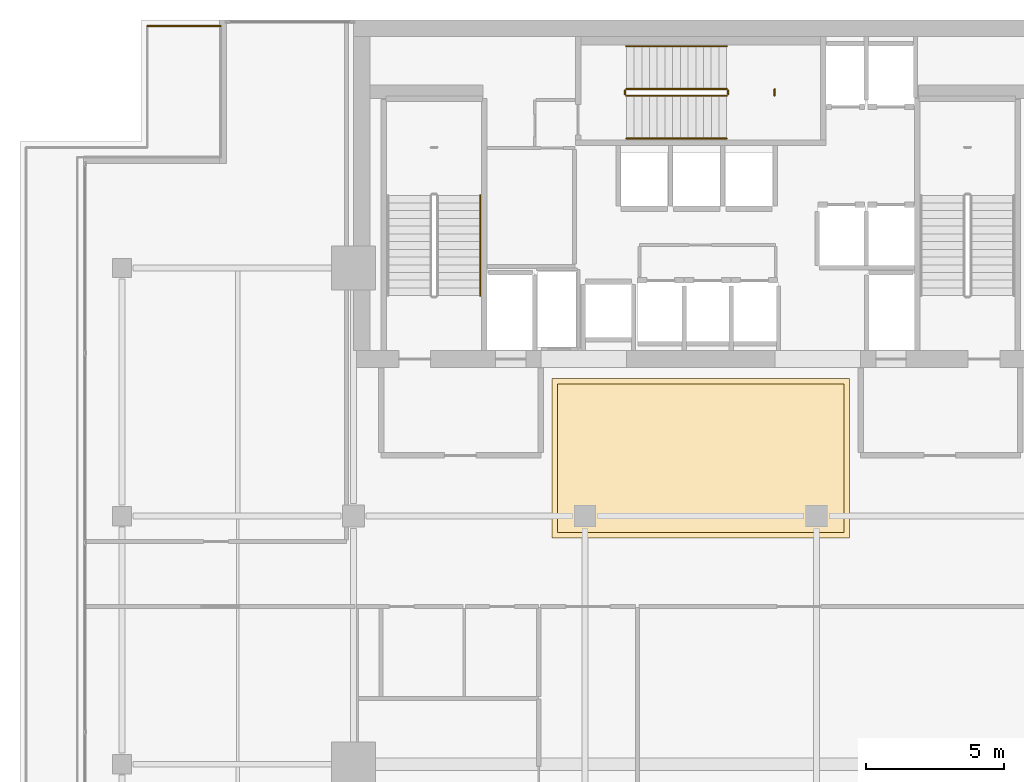
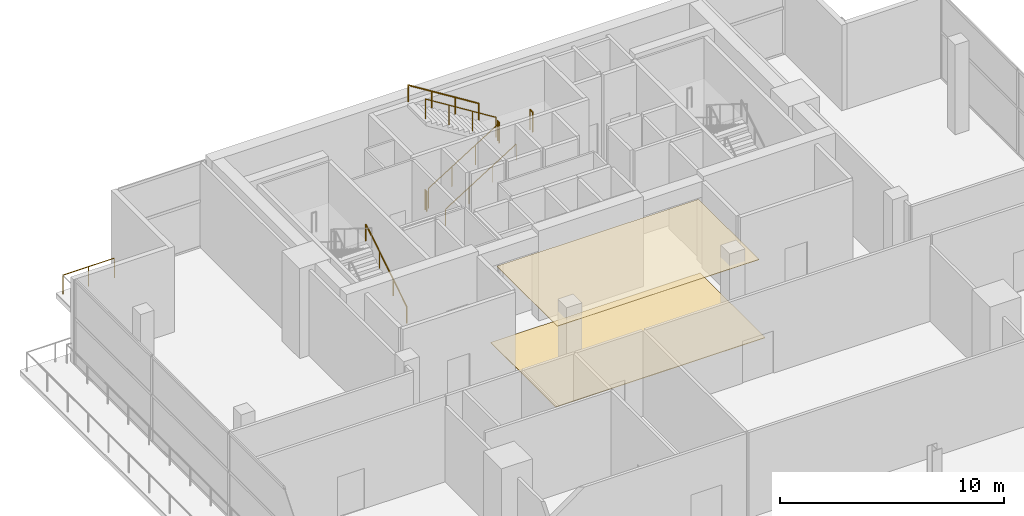
# One storey, part 27 of 28: 9 railings, 2 coverings.
"""IFC4 building model written with IfcOpenShell, lengths in metres."""

from ifc_helpers import new_model, si_unit, direction, frame, origin, origin_2d, place, context, subcontext, project, spatial, polyline, circle, outline, extrude, material, layer, layer_set, type_object, element, save


model = new_model("IFC4")

# Units and contexts
model_context = context("Model", 3, precision=1e-05, world=origin(), true_north=direction((0.0, 1.0)))
body_context = subcontext(model_context, "Body", "Model", "MODEL_VIEW")
ifc_project = project(units=[si_unit("LENGTHUNIT", "METRE"), si_unit("AREAUNIT", "SQUARE_METRE"), si_unit("VOLUMEUNIT", "CUBIC_METRE"), si_unit("PLANEANGLEUNIT", "RADIAN"), si_unit("MASSUNIT", "GRAM", prefix="KILO")], contexts=[model_context])

# Site, building, storey
site_placement = place(None, origin())
site = spatial("IfcSite", under=ifc_project, at=site_placement, CompositionType="ELEMENT")
building_placement = place(site_placement, origin())
building = spatial("IfcBuilding", under=site, at=building_placement, Name="Maruvema Waterfront Hotel and Observation Tower", CompositionType="ELEMENT")
storey_placement = place(building_placement, frame((0.0, 0.0, 234.5)))
storey = spatial("IfcBuildingStorey", under=building, at=storey_placement, Name="L57", CompositionType="ELEMENT", Elevation=234.5)

# Coverings
ifc_material_1 = material(Name="Honed Pernambuco warm granite", Category="masonry")
ifc_layer_1 = layer(ifc_material_1, 0.030029296875, Name="Honed Pernambuco Granite Lobby Flooring 30 mm")
ifc_layer_set_1 = layer_set([ifc_layer_1], Name="Honed Pernambuco warm granite")
covering_type_1 = type_object("IfcCoveringType", Name="Honed Pernambuco Granite Lobby Flooring 30 mm", PredefinedType="FLOORING", material=ifc_layer_set_1)
covering_1_placement = place(storey_placement, origin())
element("IfcCovering", 1, at=covering_1_placement, inside=storey, type_object=covering_type_1, Name="L57 Sky Concourse Granite Flooring", PredefinedType="FLOORING", context=body_context, shape_type="SweptSolid", body=[
    extrude(outline(polyline([(32.39990234375, 35.199951171875), (43.199951171875, 35.199951171875), (43.199951171875, 41.0), (32.39990234375, 41.0), (32.39990234375, 35.199951171875)])), origin(), (0.0, 0.0, 1.0), 0.030029296875),
])
ifc_material_2 = material(Name="Perforated acoustic gypsum board", Category="gypsum")
ifc_layer_2 = layer(ifc_material_2, 0.02490234375, Name="Perforated Acoustic Gypsum Suspended Ceiling 25 mm")
ifc_layer_set_2 = layer_set([ifc_layer_2], Name="Perforated acoustic gypsum board")
covering_type_2 = type_object("IfcCoveringType", Name="Perforated Acoustic Gypsum Suspended Ceiling 25 mm", PredefinedType="CEILING", material=ifc_layer_set_2)
covering_2_placement = place(storey_placement, frame((0.0, 0.0, 4.2099609375)))
element("IfcCovering", 2, at=covering_2_placement, inside=storey, type_object=covering_type_2, Name="L57 Sky Concourse Acoustic Ceiling", PredefinedType="CEILING", context=body_context, shape_type="SweptSolid", body=[
    extrude(outline(polyline([(32.60009765625, 35.39990234375), (43.0, 35.39990234375), (43.0, 40.800048828125), (32.60009765625, 40.800048828125), (32.60009765625, 35.39990234375)])), origin(), (0.0, 0.0, 1.0), 0.025146484375),
])

# Railings
ifc_material_3 = material(Name="Brushed stainless steel Grade 316", Category="steel")
railing_type_1 = type_object("IfcRailingType", Name="Ramp Continuous Wall Handrail 920 mm", PredefinedType="HANDRAIL", material=ifc_material_3)
railing_1_placement = place(storey_placement, frame((29.800048828125, 44.0, 0.175048828125)))
element("IfcRailing", 3, at=railing_1_placement, inside=storey, type_object=railing_type_1, Name="L57 ST-01 stair handrail 1", PredefinedType="HANDRAIL", context=body_context, shape_type="SweptSolid", body=[
    extrude(circle(Radius=0.02392578125, at=origin_2d()), frame((0.0, 0.0, 0.89599609375), z_axis=(0.0, 0.848001499411, 0.52999382732), x_axis=(-1.0, 0.0, 0.0)), (0.0, 0.0, 1.0), 4.292236328125),
    extrude(circle(Radius=0.02099609375, at=origin_2d()), origin(), (0.0, 0.0, 1.0), 0.871826171875),
    extrude(circle(Radius=0.02099609375, at=origin_2d()), frame((0.0, 1.21337890625, 0.75830078125)), (0.0, 0.0, 1.0), 0.871826171875),
    extrude(circle(Radius=0.02099609375, at=origin_2d()), frame((0.0, 2.426513671875, 1.5166015625)), (0.0, 0.0, 1.0), 0.871826171875),
    extrude(circle(Radius=0.02099609375, at=origin_2d()), frame((0.0, 3.639892578125, 2.27490234375)), (0.0, 0.0, 1.0), 0.871826171875),
])
railing_2_placement = place(storey_placement, frame((35.10009765625, 49.699951171875, 0.175048828125)))
element("IfcRailing", 4, at=railing_2_placement, inside=storey, type_object=railing_type_1, Name="L57 ST-02 stair handrail 1", PredefinedType="HANDRAIL", context=body_context, shape_type="SweptSolid", body=[
    extrude(circle(Radius=0.02392578125, at=origin_2d()), frame((0.0, 0.0, 0.89599609375), z_axis=(0.848001499411, 0.0, 0.52999382732), x_axis=(0.0, 1.0, 0.0)), (0.0, 0.0, 1.0), 4.292236328125),
    extrude(circle(Radius=0.02099609375, at=origin_2d()), origin(), (0.0, 0.0, 1.0), 0.871826171875),
    extrude(circle(Radius=0.02099609375, at=origin_2d()), frame((1.21337890625, 0.0, 0.75830078125)), (0.0, 0.0, 1.0), 0.871826171875),
    extrude(circle(Radius=0.02099609375, at=origin_2d()), frame((2.426513671875, 0.0, 1.5166015625)), (0.0, 0.0, 1.0), 0.871826171875),
    extrude(circle(Radius=0.02099609375, at=origin_2d()), frame((3.639892578125, 0.0, 2.27490234375)), (0.0, 0.0, 1.0), 0.871826171875),
])
railing_3_placement = place(storey_placement, frame((38.739990234375, 53.050048828125, 2.625)))
element("IfcRailing", 5, at=railing_3_placement, inside=storey, type_object=railing_type_1, Name="L57 ST-02 stair handrail 2", PredefinedType="HANDRAIL", context=body_context, shape_type="SweptSolid", body=[
    extrude(circle(Radius=0.02392578125, at=origin_2d()), frame((0.0, 0.0, 0.89599609375), z_axis=(-0.848001499411, 0.0, 0.52999382732), x_axis=(0.0, -1.0, 0.0)), (0.0, 0.0, 1.0), 4.292236328125),
    extrude(circle(Radius=0.02099609375, at=origin_2d()), origin(), (0.0, 0.0, 1.0), 0.871826171875),
    extrude(circle(Radius=0.02099609375, at=origin_2d()), frame((-1.21337890625, 0.0, 0.75830078125)), (0.0, 0.0, 1.0), 0.871826171875),
    extrude(circle(Radius=0.02099609375, at=origin_2d()), frame((-2.426513671875, 0.0, 1.5166015625)), (0.0, 0.0, 1.0), 0.871826171875),
    extrude(circle(Radius=0.02099609375, at=origin_2d()), frame((-3.639892578125, 0.0, 2.27490234375)), (0.0, 0.0, 1.0), 0.871826171875),
])
ifc_material_4 = material(Name="Brushed stainless steel Grade 316", Category="steel")
railing_type_2 = type_object("IfcRailingType", Name="Ramp and Terrace Guard Balustrade 1100 mm", PredefinedType="BALUSTRADE", material=ifc_material_4)
railing_4_placement = place(storey_placement, frame((35.10009765625, 51.25, 0.175048828125)))
element("IfcRailing", 6, at=railing_4_placement, inside=storey, type_object=railing_type_2, Name="L57 ST-02 stair guard 1", PredefinedType="BALUSTRADE", context=body_context, shape_type="SweptSolid", body=[
    extrude(circle(Radius=0.02392578125, at=origin_2d()), frame((0.0, 0.0, 1.076171875), z_axis=(0.848001499411, 0.0, 0.52999382732), x_axis=(0.0, 1.0, 0.0)), (0.0, 0.0, 1.0), 4.292236328125),
    extrude(circle(Radius=0.02099609375, at=origin_2d()), origin(), (0.0, 0.0, 1.0), 1.052001953125),
    extrude(circle(Radius=0.02099609375, at=origin_2d()), frame((1.21337890625, 0.0, 0.75830078125)), (0.0, 0.0, 1.0), 1.052001953125),
    extrude(circle(Radius=0.02099609375, at=origin_2d()), frame((2.426513671875, 0.0, 1.5166015625)), (0.0, 0.0, 1.0), 1.052001953125),
    extrude(circle(Radius=0.02099609375, at=origin_2d()), frame((3.639892578125, 0.0, 2.27490234375)), (0.0, 0.0, 1.0), 1.052001953125),
])
railing_5_placement = place(storey_placement, frame((38.7900390625, 51.300048828125, 2.449951171875)))
element("IfcRailing", 7, at=railing_5_placement, inside=storey, type_object=railing_type_2, Name="L57 ST-02 stair guard 2", PredefinedType="BALUSTRADE", context=body_context, shape_type="SweptSolid", body=[
    extrude(circle(Radius=0.02392578125, at=origin_2d()), frame((0.0, 0.0, 1.076171875), z_axis=(0.0, 1.0, 0.0), x_axis=(-1.0, 0.0, 0.0)), (0.0, 0.0, 1.0), 0.14990234375),
    extrude(circle(Radius=0.02099609375, at=origin_2d()), origin(), (0.0, 0.0, 1.0), 1.052001953125),
    extrude(circle(Radius=0.02099609375, at=origin_2d()), frame((0.0, 0.14990234375, 0.0)), (0.0, 0.0, 1.0), 1.052001953125),
])
railing_6_placement = place(storey_placement, frame((38.739990234375, 51.5, 2.625)))
element("IfcRailing", 8, at=railing_6_placement, inside=storey, type_object=railing_type_2, Name="L57 ST-02 stair guard 3", PredefinedType="BALUSTRADE", context=body_context, shape_type="SweptSolid", body=[
    extrude(circle(Radius=0.02392578125, at=origin_2d()), frame((0.0, 0.0, 1.076171875), z_axis=(-0.848001499411, 0.0, 0.52999382732), x_axis=(0.0, -1.0, 0.0)), (0.0, 0.0, 1.0), 4.292236328125),
    extrude(circle(Radius=0.02099609375, at=origin_2d()), origin(), (0.0, 0.0, 1.0), 1.052001953125),
    extrude(circle(Radius=0.02099609375, at=origin_2d()), frame((-1.21337890625, 0.0, 0.75830078125)), (0.0, 0.0, 1.0), 1.052001953125),
    extrude(circle(Radius=0.02099609375, at=origin_2d()), frame((-2.426513671875, 0.0, 1.5166015625)), (0.0, 0.0, 1.0), 1.052001953125),
    extrude(circle(Radius=0.02099609375, at=origin_2d()), frame((-3.639892578125, 0.0, 2.27490234375)), (0.0, 0.0, 1.0), 1.052001953125),
])
railing_7_placement = place(storey_placement, frame((35.050048828125, 51.300048828125, 0.0)))
element("IfcRailing", 9, at=railing_7_placement, inside=storey, type_object=railing_type_2, Name="L57 ST-02 stair guard 4", PredefinedType="BALUSTRADE", context=body_context, shape_type="SweptSolid", body=[
    extrude(circle(Radius=0.02392578125, at=origin_2d()), frame((0.0, 0.0, 1.076171875), z_axis=(0.0, 1.0, 0.0), x_axis=(-1.0, 0.0, 0.0)), (0.0, 0.0, 1.0), 0.14990234375),
    extrude(circle(Radius=0.02099609375, at=origin_2d()), origin(), (0.0, 0.0, 1.0), 1.052001953125),
    extrude(circle(Radius=0.02099609375, at=origin_2d()), frame((0.0, 0.14990234375, 0.0)), (0.0, 0.0, 1.0), 1.052001953125),
])
railing_8_placement = place(storey_placement, frame((40.47998046875, 51.260009765625, 2.449951171875)))
element("IfcRailing", 10, at=railing_8_placement, inside=storey, type_object=railing_type_2, Name="L57 ST-02 Half-Landing Slot Guard", PredefinedType="BALUSTRADE", context=body_context, shape_type="SweptSolid", body=[
    extrude(circle(Radius=0.02392578125, at=origin_2d()), frame((0.0, 0.0, 1.076171875), z_axis=(0.0, 1.0, 0.0), x_axis=(-1.0, 0.0, 0.0)), (0.0, 0.0, 1.0), 0.22998046875),
    extrude(circle(Radius=0.02099609375, at=origin_2d()), origin(), (0.0, 0.0, 1.0), 1.052001953125),
    extrude(circle(Radius=0.02099609375, at=origin_2d()), frame((0.0, 0.22998046875, 0.0)), (0.0, 0.0, 1.0), 1.052001953125),
])
railing_9_placement = place(storey_placement, frame((17.719970703125, 53.780029296875, 0.0)))
element("IfcRailing", 11, at=railing_9_placement, inside=storey, type_object=railing_type_2, Name="L57 Perimeter Safety Balustrade 12", PredefinedType="BALUSTRADE", context=body_context, shape_type="SweptSolid", body=[
    extrude(circle(Radius=0.02392578125, at=origin_2d()), frame((0.0, 0.0, 1.076171875), z_axis=(1.0, 0.0, 0.0), x_axis=(0.0, 1.0, 0.0)), (0.0, 0.0, 1.0), 2.659912109375),
    extrude(circle(Radius=0.02099609375, at=origin_2d()), origin(), (0.0, 0.0, 1.0), 1.052001953125),
    extrude(circle(Radius=0.02099609375, at=origin_2d()), frame((1.330078125, 0.0, 0.0)), (0.0, 0.0, 1.0), 1.052001953125),
    extrude(circle(Radius=0.02099609375, at=origin_2d()), frame((2.659912109375, 0.0, 0.0)), (0.0, 0.0, 1.0), 1.052001953125),
])

save(model, "model.ifc")
